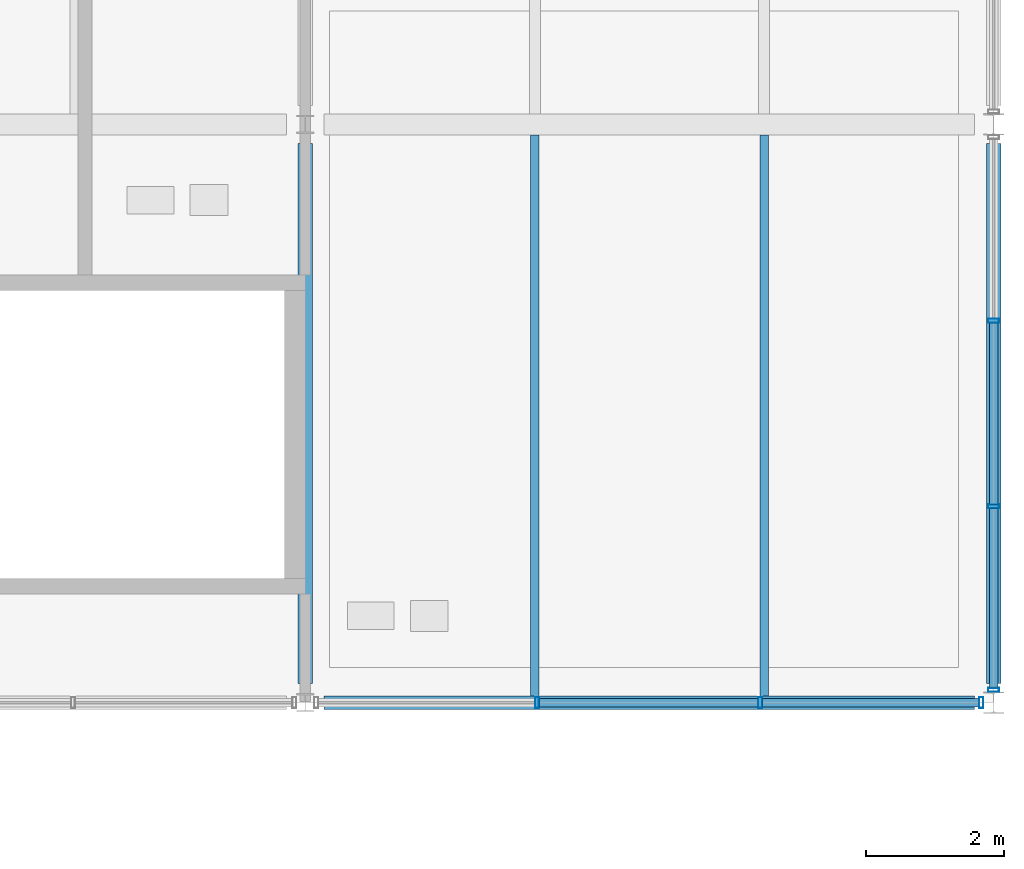
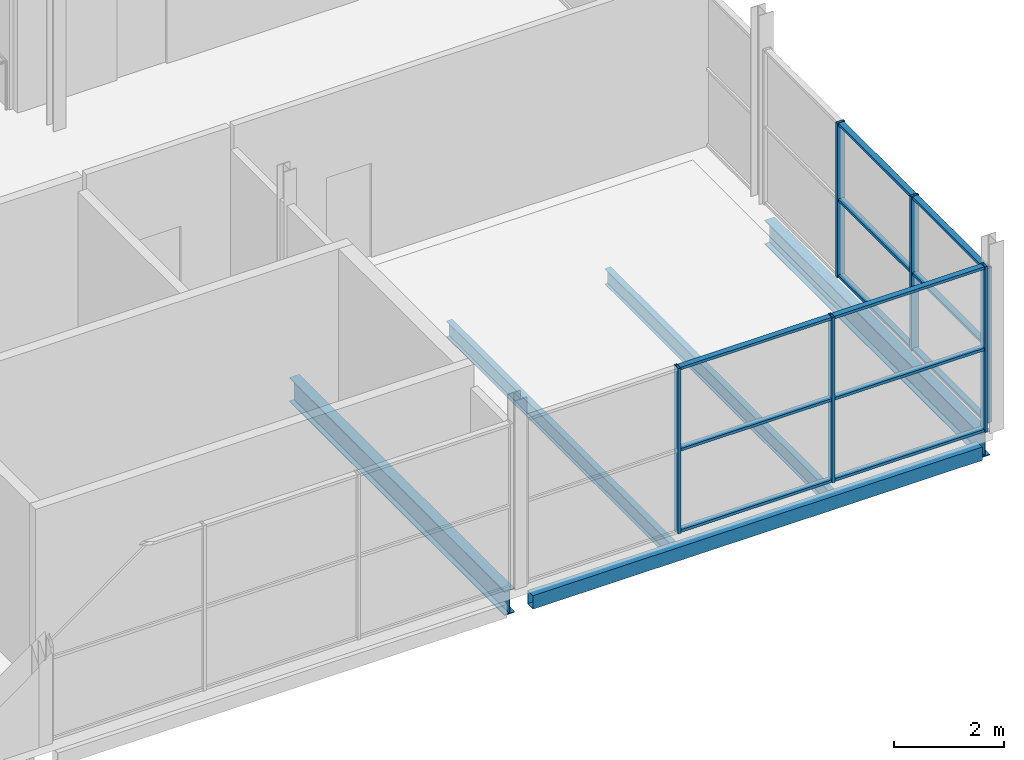
# One storey, part 93 of 161: 18 members, 5 beams, 2 elements without a shape of their own.
"""IFC4 building model written with IfcOpenShell, lengths in metres."""

from ifc_helpers import new_model, si_unit, direction, frame, origin, origin_2d, place, context, subcontext, project, spatial, hollow_rectangle, i_section, extrude, material, material_profile, profile_set, type_object, element, aggregate, save


model = new_model("IFC4")

# Units and contexts
model_context = context("Model", 3, precision=1e-05, world=origin(), true_north=direction((0.0, 1.0)))
body_context = subcontext(model_context, "Body", "Model", "MODEL_VIEW")
ifc_project = project(units=[si_unit("LENGTHUNIT", "METRE"), si_unit("AREAUNIT", "SQUARE_METRE"), si_unit("VOLUMEUNIT", "CUBIC_METRE"), si_unit("PLANEANGLEUNIT", "RADIAN"), si_unit("MASSUNIT", "GRAM", prefix="KILO"), si_unit("THERMODYNAMICTEMPERATUREUNIT", "KELVIN")], contexts=[model_context])

# Site, building, storey
site_placement = place(None, origin())
site = spatial("IfcSite", under=ifc_project, at=site_placement, CompositionType="ELEMENT")
building_placement = place(site_placement, origin())
building = spatial("IfcBuilding", under=site, at=building_placement, Name="Nduvali Passage Aquatics Centre", CompositionType="ELEMENT")
storey_placement = place(building_placement, frame((0.0, 0.0, 4.800048828125)))
storey = spatial("IfcBuildingStorey", under=building, at=storey_placement, Name="L01", CompositionType="ELEMENT", Elevation=4.800048828125)

# Curtain wall, members
ifc_material_1 = material(Name="Aluminium EN AW-6063 T6", Category="aluminium")
curtain_wall_type_1 = type_object("IfcCurtainWallType", Name="ENV-CW-FOYR", PredefinedType="NOTDEFINED", material=ifc_material_1)
curtain_wall_1_placement = place(storey_placement, origin())
curtain_wall_1 = element("IfcCurtainWall", 1, at=curtain_wall_1_placement, inside=storey, type_object=curtain_wall_type_1, Name="L01 East Avenue Entrance End Upper CW 080", PredefinedType="NOTDEFINED")
ifc_material_profile_1 = material_profile(ifc_material_1, hollow_rectangle(XDim=0.06005859375, YDim=0.159912109375, WallThickness=0.00390625, at=origin_2d()), Name="ALU MULLION 60x160x4")
ifc_profile_set_1 = profile_set([ifc_material_profile_1], Name="Aluminium EN AW-6063 T6")
member_type_1 = type_object("IfcMemberType", Name="ENV-MEM-MUL60", PredefinedType="MULLION", material=ifc_profile_set_1)
member_1_placement = place(storey_placement, frame((168.0, 25.385009765625, 0.0), z_axis=(0.0, 0.0, 1.0), x_axis=(0.0, 1.0, 0.0)))
member_1 = element("IfcMember", 2, at=member_1_placement, type_object=member_type_1, Name="East Avenue Entrance End Upper CW Mullion 1", PredefinedType="MULLION", context=body_context, shape_type="SweptSolid", body=[
    extrude(hollow_rectangle(XDim=0.06005859375, YDim=0.159912109375, WallThickness=0.00390625, at=origin_2d()), origin(), (0.0, 0.0, 1.0), 3.436279296875),
])
member_2_placement = place(storey_placement, frame((168.0, 28.0517578125, 0.0), z_axis=(0.0, 0.0, 1.0), x_axis=(0.0, 1.0, 0.0)))
member_2 = element("IfcMember", 3, at=member_2_placement, type_object=member_type_1, Name="East Avenue Entrance End Upper CW Mullion 2", PredefinedType="MULLION", context=body_context, shape_type="SweptSolid", body=[
    extrude(hollow_rectangle(XDim=0.06005859375, YDim=0.159912109375, WallThickness=0.00390625, at=origin_2d()), origin(), (0.0, 0.0, 1.0), 3.436279296875),
])
member_3_placement = place(storey_placement, frame((168.0, 30.748291015625, 0.0), z_axis=(0.0, 0.0, 1.0), x_axis=(0.0, 1.0, 0.0)))
member_3 = element("IfcMember", 4, at=member_3_placement, type_object=member_type_1, Name="East Avenue Entrance End Upper CW Mullion 3", PredefinedType="MULLION", context=body_context, shape_type="SweptSolid", body=[
    extrude(hollow_rectangle(XDim=0.06005859375, YDim=0.159912109375, WallThickness=0.00390625, at=origin_2d()), origin(), (0.0, 0.0, 1.0), 3.436279296875),
])

curtain_wall_type_2 = type_object("IfcCurtainWallType", Name="ENV-CW-PASS", PredefinedType="NOTDEFINED", material=ifc_material_1)
curtain_wall_2_placement = place(storey_placement, origin())
curtain_wall_2 = element("IfcCurtainWall", 5, at=curtain_wall_2_placement, inside=storey, type_object=curtain_wall_type_2, Name="L01 South Pavilion Upper CW 094", PredefinedType="NOTDEFINED")
member_4_placement = place(storey_placement, frame((161.36865234375, 25.199951171875, 0.0), z_axis=(0.0, 0.0, 1.0), x_axis=(1.0, 0.0, 0.0)))
member_4 = element("IfcMember", 6, at=member_4_placement, type_object=member_type_1, Name="South Pavilion Upper CW Mullion 2", PredefinedType="MULLION", context=body_context, shape_type="SweptSolid", body=[
    extrude(hollow_rectangle(XDim=0.06005859375, YDim=0.159912109375, WallThickness=0.00390625, at=origin_2d()), origin(), (0.0, 0.0, 1.0), 3.676025390625),
])
member_5_placement = place(storey_placement, frame((164.609375, 25.199951171875, 0.0), z_axis=(0.0, 0.0, 1.0), x_axis=(1.0, 0.0, 0.0)))
member_5 = element("IfcMember", 7, at=member_5_placement, type_object=member_type_1, Name="South Pavilion Upper CW Mullion 3", PredefinedType="MULLION", context=body_context, shape_type="SweptSolid", body=[
    extrude(hollow_rectangle(XDim=0.06005859375, YDim=0.159912109375, WallThickness=0.00390625, at=origin_2d()), origin(), (0.0, 0.0, 1.0), 3.676025390625),
])
member_6_placement = place(storey_placement, frame((167.820068359375, 25.199951171875, 0.0), z_axis=(0.0, 0.0, 1.0), x_axis=(1.0, 0.0, 0.0)))
member_6 = element("IfcMember", 8, at=member_6_placement, type_object=member_type_1, Name="South Pavilion Upper CW Mullion 4", PredefinedType="MULLION", context=body_context, shape_type="SweptSolid", body=[
    extrude(hollow_rectangle(XDim=0.06005859375, YDim=0.159912109375, WallThickness=0.00390625, at=origin_2d()), origin(), (0.0, 0.0, 1.0), 3.676025390625),
])

# Member
ifc_material_profile_2 = material_profile(ifc_material_1, hollow_rectangle(XDim=0.1201171875, YDim=0.06005859375, WallThickness=0.00390625, at=origin_2d()), Name="ALU TRANSOM 120x60x4")
ifc_profile_set_2 = profile_set([ifc_material_profile_2], Name="Aluminium EN AW-6063 T6")
member_type_2 = type_object("IfcMemberType", Name="ENV-MEM-TRN60", PredefinedType="USERDEFINED", material=ifc_profile_set_2)
member_7_placement = place(storey_placement, frame((168.0, 25.4150390625, 0.030029296875), z_axis=(0.0, 1.0, 0.0), x_axis=(-1.0, 0.0, 0.0)))
member_7 = element("IfcMember", 9, at=member_7_placement, type_object=member_type_2, Name="East Avenue Entrance End Upper CW Transom B1-R0", ObjectType="TRANSOM", PredefinedType="USERDEFINED", context=body_context, shape_type="SweptSolid", body=[
    extrude(hollow_rectangle(XDim=0.1201171875, YDim=0.06005859375, WallThickness=0.00390625, at=origin_2d()), origin(), (0.0, 0.0, 1.0), 2.606689453125),
])

member_8_placement = place(storey_placement, frame((168.0, 25.4150390625, 1.71826171875), z_axis=(0.0, 1.0, 0.0), x_axis=(-1.0, 0.0, 0.0)))
member_8 = element("IfcMember", 10, at=member_8_placement, type_object=member_type_2, Name="East Avenue Entrance End Upper CW Transom B1-R1", ObjectType="TRANSOM", PredefinedType="USERDEFINED", context=body_context, shape_type="SweptSolid", body=[
    extrude(hollow_rectangle(XDim=0.1201171875, YDim=0.06005859375, WallThickness=0.00390625, at=origin_2d()), origin(), (0.0, 0.0, 1.0), 2.606689453125),
])

member_9_placement = place(storey_placement, frame((168.0, 25.4150390625, 3.40625), z_axis=(0.0, 1.0, 0.0), x_axis=(-1.0, 0.0, 0.0)))
member_9 = element("IfcMember", 11, at=member_9_placement, type_object=member_type_2, Name="East Avenue Entrance End Upper CW Transom B1-R2", ObjectType="TRANSOM", PredefinedType="USERDEFINED", context=body_context, shape_type="SweptSolid", body=[
    extrude(hollow_rectangle(XDim=0.1201171875, YDim=0.06005859375, WallThickness=0.00390625, at=origin_2d()), origin(), (0.0, 0.0, 1.0), 2.606689453125),
])

member_10_placement = place(storey_placement, frame((168.0, 28.081787109375, 0.030029296875), z_axis=(0.0, 1.0, 0.0), x_axis=(-1.0, 0.0, 0.0)))
member_10 = element("IfcMember", 12, at=member_10_placement, type_object=member_type_2, Name="East Avenue Entrance End Upper CW Transom B2-R0", ObjectType="TRANSOM", PredefinedType="USERDEFINED", context=body_context, shape_type="SweptSolid", body=[
    extrude(hollow_rectangle(XDim=0.1201171875, YDim=0.06005859375, WallThickness=0.00390625, at=origin_2d()), origin(), (0.0, 0.0, 1.0), 2.636474609375),
])

member_11_placement = place(storey_placement, frame((168.0, 28.081787109375, 1.71826171875), z_axis=(0.0, 1.0, 0.0), x_axis=(-1.0, 0.0, 0.0)))
member_11 = element("IfcMember", 13, at=member_11_placement, type_object=member_type_2, Name="East Avenue Entrance End Upper CW Transom B2-R1", ObjectType="TRANSOM", PredefinedType="USERDEFINED", context=body_context, shape_type="SweptSolid", body=[
    extrude(hollow_rectangle(XDim=0.1201171875, YDim=0.06005859375, WallThickness=0.00390625, at=origin_2d()), origin(), (0.0, 0.0, 1.0), 2.636474609375),
])

member_12_placement = place(storey_placement, frame((168.0, 28.081787109375, 3.40625), z_axis=(0.0, 1.0, 0.0), x_axis=(-1.0, 0.0, 0.0)))
member_12 = element("IfcMember", 14, at=member_12_placement, type_object=member_type_2, Name="East Avenue Entrance End Upper CW Transom B2-R2", ObjectType="TRANSOM", PredefinedType="USERDEFINED", context=body_context, shape_type="SweptSolid", body=[
    extrude(hollow_rectangle(XDim=0.1201171875, YDim=0.06005859375, WallThickness=0.00390625, at=origin_2d()), origin(), (0.0, 0.0, 1.0), 2.636474609375),
])

aggregate(curtain_wall_1, [member_1, member_2, member_3, member_7, member_8, member_9, member_10, member_11, member_12])

member_13_placement = place(storey_placement, frame((161.398681640625, 25.199951171875, 0.030029296875), z_axis=(1.0, 0.0, 0.0), x_axis=(0.0, 1.0, 0.0)))
member_13 = element("IfcMember", 15, at=member_13_placement, type_object=member_type_2, Name="South Pavilion Upper CW Transom B2-R0", ObjectType="TRANSOM", PredefinedType="USERDEFINED", context=body_context, shape_type="SweptSolid", body=[
    extrude(hollow_rectangle(XDim=0.1201171875, YDim=0.06005859375, WallThickness=0.00390625, at=origin_2d()), origin(), (0.0, 0.0, 1.0), 3.1806640625),
])

member_14_placement = place(storey_placement, frame((161.398681640625, 25.199951171875, 1.837890625), z_axis=(1.0, 0.0, 0.0), x_axis=(0.0, 1.0, 0.0)))
member_14 = element("IfcMember", 16, at=member_14_placement, type_object=member_type_2, Name="South Pavilion Upper CW Transom B2-R1", ObjectType="TRANSOM", PredefinedType="USERDEFINED", context=body_context, shape_type="SweptSolid", body=[
    extrude(hollow_rectangle(XDim=0.1201171875, YDim=0.06005859375, WallThickness=0.00390625, at=origin_2d()), origin(), (0.0, 0.0, 1.0), 3.1806640625),
])

member_15_placement = place(storey_placement, frame((161.398681640625, 25.199951171875, 3.64599609375), z_axis=(1.0, 0.0, 0.0), x_axis=(0.0, 1.0, 0.0)))
member_15 = element("IfcMember", 17, at=member_15_placement, type_object=member_type_2, Name="South Pavilion Upper CW Transom B2-R2", ObjectType="TRANSOM", PredefinedType="USERDEFINED", context=body_context, shape_type="SweptSolid", body=[
    extrude(hollow_rectangle(XDim=0.1201171875, YDim=0.06005859375, WallThickness=0.00390625, at=origin_2d()), origin(), (0.0, 0.0, 1.0), 3.1806640625),
])

member_16_placement = place(storey_placement, frame((164.639404296875, 25.199951171875, 0.030029296875), z_axis=(1.0, 0.0, 0.0), x_axis=(0.0, 1.0, 0.0)))
member_16 = element("IfcMember", 18, at=member_16_placement, type_object=member_type_2, Name="South Pavilion Upper CW Transom B3-R0", ObjectType="TRANSOM", PredefinedType="USERDEFINED", context=body_context, shape_type="SweptSolid", body=[
    extrude(hollow_rectangle(XDim=0.1201171875, YDim=0.06005859375, WallThickness=0.00390625, at=origin_2d()), origin(), (0.0, 0.0, 1.0), 3.150634765625),
])

member_17_placement = place(storey_placement, frame((164.639404296875, 25.199951171875, 1.837890625), z_axis=(1.0, 0.0, 0.0), x_axis=(0.0, 1.0, 0.0)))
member_17 = element("IfcMember", 19, at=member_17_placement, type_object=member_type_2, Name="South Pavilion Upper CW Transom B3-R1", ObjectType="TRANSOM", PredefinedType="USERDEFINED", context=body_context, shape_type="SweptSolid", body=[
    extrude(hollow_rectangle(XDim=0.1201171875, YDim=0.06005859375, WallThickness=0.00390625, at=origin_2d()), origin(), (0.0, 0.0, 1.0), 3.150634765625),
])

member_18_placement = place(storey_placement, frame((164.639404296875, 25.199951171875, 3.64599609375), z_axis=(1.0, 0.0, 0.0), x_axis=(0.0, 1.0, 0.0)))
member_18 = element("IfcMember", 20, at=member_18_placement, type_object=member_type_2, Name="South Pavilion Upper CW Transom B3-R2", ObjectType="TRANSOM", PredefinedType="USERDEFINED", context=body_context, shape_type="SweptSolid", body=[
    extrude(hollow_rectangle(XDim=0.1201171875, YDim=0.06005859375, WallThickness=0.00390625, at=origin_2d()), origin(), (0.0, 0.0, 1.0), 3.150634765625),
])

aggregate(curtain_wall_2, [member_4, member_5, member_6, member_13, member_14, member_15, member_16, member_17, member_18])

# Beams
ifc_material_2 = material(Name="Steel S355", Category="steel")
ifc_material_profile_3 = material_profile(ifc_material_2, i_section(OverallWidth=0.210693359375, OverallDepth=0.53955078125, WebThickness=0.01171875, FlangeThickness=0.018798828125, FilletRadius=0.0126953125, at=origin_2d()), Name="UKB 533x210x109")
ifc_profile_set_3 = profile_set([ifc_material_profile_3], Name="Steel S355")
beam_type_1 = type_object("IfcBeamType", Name="STR-BM-UKB533", PredefinedType="BEAM", material=ifc_profile_set_3)
beam_1_placement = place(storey_placement, frame((158.0, 25.47509765625, -0.553955078125), z_axis=(0.0, 1.0, 0.0), x_axis=(-1.0, 0.0, 0.0)))
element("IfcBeam", 21, at=beam_1_placement, inside=storey, type_object=beam_type_1, Name="L01 Primary Y-Girder B6-0674", PredefinedType="BEAM", context=body_context, shape_type="SweptSolid", body=[
    extrude(i_section(OverallWidth=0.210693359375, OverallDepth=0.53955078125, WebThickness=0.01171875, FlangeThickness=0.018798828125, FilletRadius=0.0126953125, at=origin_2d()), origin(), (0.0, 0.0, 1.0), 7.849853515625),
])
ifc_material_profile_4 = material_profile(ifc_material_2, i_section(OverallWidth=0.210693359375, OverallDepth=0.53955078125, WebThickness=0.01171875, FlangeThickness=0.018798828125, FilletRadius=0.0126953125, at=origin_2d()), Name="UKB 533x210x109")
ifc_profile_set_4 = profile_set([ifc_material_profile_4], Name="Steel S355")
beam_type_2 = type_object("IfcBeamType", Name="STR-BM-UKB533-EXT", PredefinedType="BEAM", material=ifc_profile_set_4)
beam_2_placement = place(storey_placement, frame((168.0, 25.47509765625, -0.553955078125), z_axis=(0.0, 1.0, 0.0), x_axis=(-1.0, 0.0, 0.0)))
element("IfcBeam", 22, at=beam_2_placement, inside=storey, type_object=beam_type_2, Name="L01 Primary Y-Girder B6E-0682", PredefinedType="BEAM", context=body_context, shape_type="SweptSolid", body=[
    extrude(i_section(OverallWidth=0.210693359375, OverallDepth=0.53955078125, WebThickness=0.01171875, FlangeThickness=0.018798828125, FilletRadius=0.0126953125, at=origin_2d()), origin(), (0.0, 0.0, 1.0), 7.849853515625),
])
ifc_material_profile_5 = material_profile(ifc_material_2, i_section(OverallWidth=0.1259765625, OverallDepth=0.353515625, WebThickness=0.006591796875, FlangeThickness=0.0107421875, FilletRadius=0.01025390625, at=origin_2d()), Name="UKB 356x127x39")
ifc_profile_set_5 = profile_set([ifc_material_profile_5], Name="Steel S355")
beam_type_3 = type_object("IfcBeamType", Name="STR-JST-UKB356L", PredefinedType="JOIST", material=ifc_profile_set_5)
for number, where, z_axis, x_axis, name in (
    (23, (161.333251953125, 25.300048828125, -0.460693359375), (0.0, 1.0, 0.0), (-1.0, 0.0, 0.0), "L01 Secondary Joist J2A-0746"),
    (24, (164.666748046875, 25.300048828125, -0.460693359375), (0.0, 1.0, 0.0), (-1.0, 0.0, 0.0), "L01 Secondary Joist J2A-0747"),
):
    element("IfcBeam", number, at=place(storey_placement, frame(where, z_axis=z_axis, x_axis=x_axis)), inside=storey, type_object=beam_type_3, Name=name, PredefinedType="JOIST", context=body_context, shape_type="SweptSolid", body=[
        extrude(i_section(OverallWidth=0.1259765625, OverallDepth=0.353515625, WebThickness=0.006591796875, FlangeThickness=0.0107421875, FilletRadius=0.01025390625, at=origin_2d()), origin(), (0.0, 0.0, 1.0), 8.1474609375),
    ])
ifc_material_profile_6 = material_profile(ifc_material_2, hollow_rectangle(XDim=0.199951171875, YDim=0.300048828125, WallThickness=0.010009765625, at=origin_2d()), Name="RHS 300x200x10.0")
ifc_profile_set_6 = profile_set([ifc_material_profile_6], Name="Steel S355")
beam_type_4 = type_object("IfcBeamType", Name="STR-SPN-RHS300-EXT", PredefinedType="SPANDREL", material=ifc_profile_set_6)
beam_3_placement = place(storey_placement, frame((158.27490234375, 25.199951171875, -0.43408203125), z_axis=(1.0, 0.0, 0.0), x_axis=(0.0, 1.0, 0.0)))
element("IfcBeam", 25, at=beam_3_placement, inside=storey, type_object=beam_type_4, Name="L01 Primary X-Girder SP3E-0455", PredefinedType="SPANDREL", context=body_context, shape_type="SweptSolid", body=[
    extrude(hollow_rectangle(XDim=0.199951171875, YDim=0.300048828125, WallThickness=0.010009765625, at=origin_2d()), origin(), (0.0, 0.0, 1.0), 9.4501953125),
])

save(model, "model.ifc")
